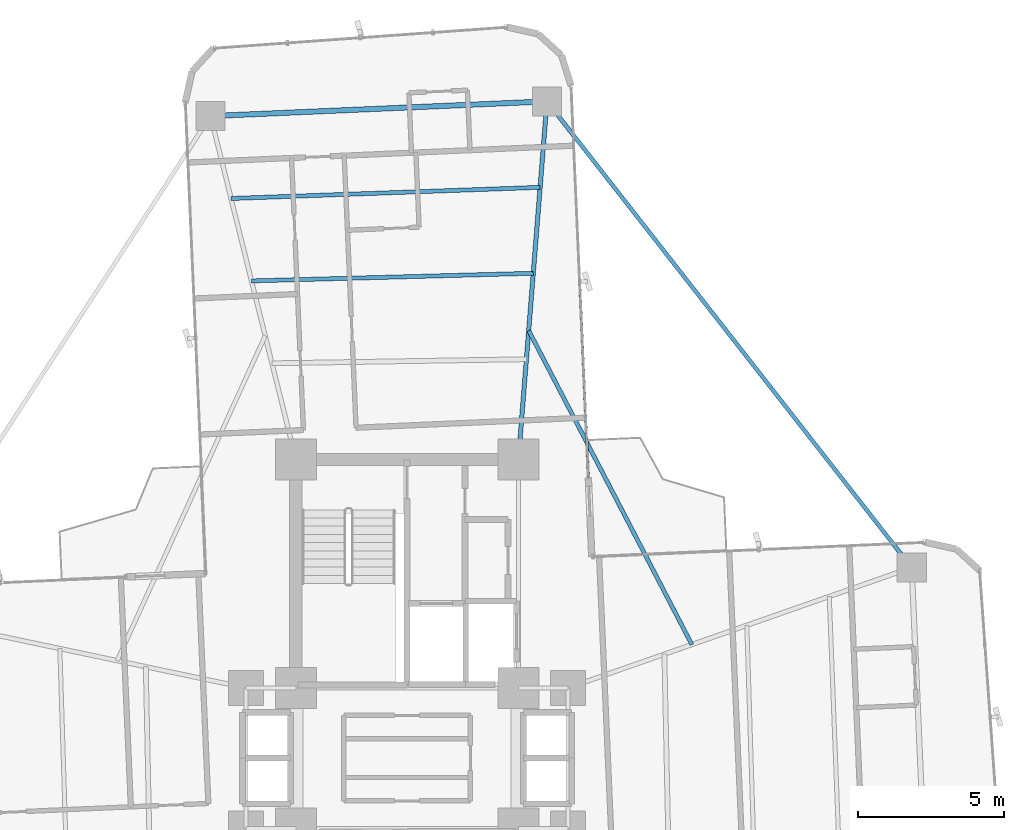
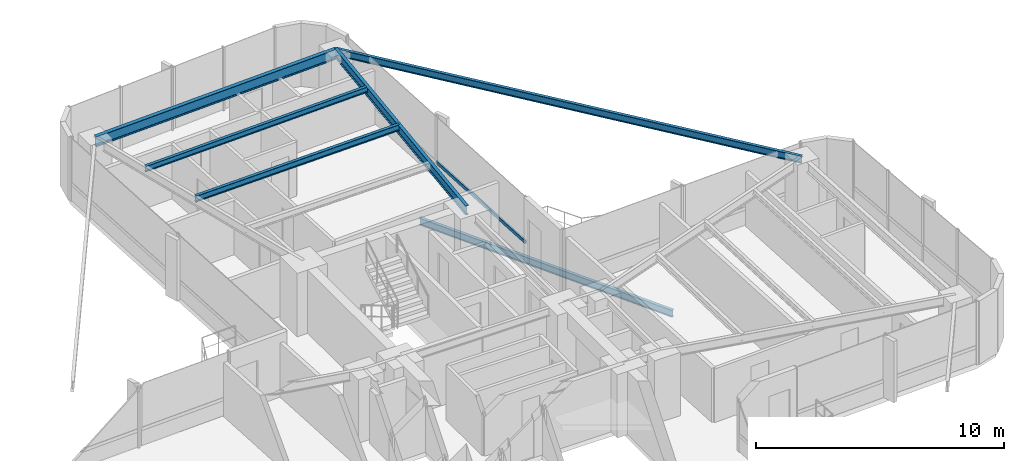
# One storey, part 18 of 26: 6 beams, 1 member, 1 element without a shape of its own.
"""IFC4 building model written with IfcOpenShell, lengths in metres."""

from ifc_helpers import new_model, si_unit, direction, frame, origin, origin_2d, place, context, subcontext, project, spatial, hollow_rectangle, i_section, extrude, source, transform, mapped, material, material_profile, profile_set, type_object, element, aggregate, save


model = new_model("IFC4")

# Units and contexts
model_context = context("Model", 3, precision=1e-05, world=origin(), true_north=direction((0.0, 1.0)))
body_context = subcontext(model_context, "Body", "Model", "MODEL_VIEW")
ifc_project = project(units=[si_unit("LENGTHUNIT", "METRE"), si_unit("AREAUNIT", "SQUARE_METRE"), si_unit("VOLUMEUNIT", "CUBIC_METRE"), si_unit("PLANEANGLEUNIT", "RADIAN"), si_unit("MASSUNIT", "GRAM", prefix="KILO")], contexts=[model_context])

# Site, building, storey
site_placement = place(None, origin())
site = spatial("IfcSite", under=ifc_project, at=site_placement, CompositionType="ELEMENT")
building_placement = place(site_placement, origin())
building = spatial("IfcBuilding", under=site, at=building_placement, Name="Sahyath Konkavel Grand Hotel", CompositionType="ELEMENT")
storey_placement = place(building_placement, frame((0.0, 0.0, 124.85009765625)))
storey = spatial("IfcBuildingStorey", under=building, at=storey_placement, Name="L34", CompositionType="ELEMENT", Elevation=124.85009765625)

# Beams
ifc_material_1 = material(Name="Steel E350", Category="steel")
ifc_material_profile_1 = material_profile(ifc_material_1, i_section(OverallWidth=0.14990234375, OverallDepth=0.449951171875, WebThickness=0.009521484375, FlangeThickness=0.017333984375, FilletRadius=0.014892578125, at=origin_2d()), Name="ISMB 450")
ifc_profile_set_1 = profile_set([ifc_material_profile_1], Name="Steel E350")
beam_type_1 = type_object("IfcBeamType", Name="BM-ISMB450", PredefinedType="BEAM", material=ifc_profile_set_1)
shared_shape_1 = source(origin(), body_context, "Body", "SweptSolid", [
    extrude(i_section(OverallWidth=0.14990234375, OverallDepth=0.449951171875, WebThickness=0.009521484375, FlangeThickness=0.017333984375, FilletRadius=0.014892578125, at=origin_2d()), origin(), (0.0, 0.0, 1.0), 12.2685546875),
])
beam_1_placement = place(storey_placement, frame((3.800048828125, 10.199951171875, 2.885009765625), z_axis=(0.079558563357, 0.996830193662, 0.0), x_axis=(-0.996830193662, 0.079558563357, 0.0)))
element("IfcBeam", 1, at=beam_1_placement, inside=storey, type_object=beam_type_1, Name="L34 Cruciform Radial Girder NA", PredefinedType="BEAM", context=body_context, shape_type="MappedRepresentation", body=[
    mapped(shared_shape_1, transform((0.0, 0.0, 0.0), scale=1.0)),
])
ifc_material_profile_2 = material_profile(ifc_material_1, i_section(OverallWidth=0.179931640625, OverallDepth=0.5, WebThickness=0.01025390625, FlangeThickness=0.01708984375, FilletRadius=0.01708984375, at=origin_2d()), Name="ISMB 500")
ifc_profile_set_2 = profile_set([ifc_material_profile_2], Name="Steel E350")
beam_type_2 = type_object("IfcBeamType", Name="BM-ISMB500", PredefinedType="BEAM", material=ifc_profile_set_2)
shared_shape_2 = source(origin(), body_context, "Body", "SweptSolid", [
    extrude(i_section(OverallWidth=0.179931640625, OverallDepth=0.5, WebThickness=0.01025390625, FlangeThickness=0.01708984375, FilletRadius=0.01708984375, at=origin_2d()), origin(), (0.0, 0.0, 1.0), 11.5),
])
beam_2_placement = place(storey_placement, frame((4.776123046875, 22.4296875, 2.85986328125), z_axis=(-0.99904788879, -0.043627008892, 0.0), x_axis=(0.043627008892, -0.99904788879, 0.0)))
element("IfcBeam", 2, at=beam_2_placement, inside=storey, type_object=beam_type_2, Name="L34 Wing Tip Edge Beam N", PredefinedType="BEAM", context=body_context, shape_type="MappedRepresentation", body=[
    mapped(shared_shape_2, transform((0.0, 0.0, 0.0), scale=1.0)),
])
ifc_material_profile_3 = material_profile(ifc_material_1, i_section(OverallWidth=0.139892578125, OverallDepth=0.35009765625, WebThickness=0.008056640625, FlangeThickness=0.01416015625, FilletRadius=0.013916015625, at=origin_2d()), Name="ISMB 350")
ifc_profile_set_3 = profile_set([ifc_material_profile_3], Name="Steel E350")
beam_type_3 = type_object("IfcBeamType", Name="BM-ISMB350", PredefinedType="BEAM", material=ifc_profile_set_3)
shared_shape_3 = source(origin(), body_context, "Body", "SweptSolid", [
    extrude(i_section(OverallWidth=0.139892578125, OverallDepth=0.35009765625, WebThickness=0.008056640625, FlangeThickness=0.01416015625, FilletRadius=0.013916015625, at=origin_2d()), origin(), (0.0, 0.0, 1.0), 20.215576171875),
])
beam_3_placement = place(storey_placement, frame((17.232421875, 6.5078125, 2.934814453125), z_axis=(-0.616176369687, 0.787608203004, 0.0), x_axis=(-0.787608203004, -0.616176369687, 0.0)))
element("IfcBeam", 3, at=beam_3_placement, inside=storey, type_object=beam_type_3, Name="L34 Re-Entrant Tie Beam NE", PredefinedType="BEAM", context=body_context, shape_type="MappedRepresentation", body=[
    mapped(shared_shape_3, transform((0.0, 0.0, 0.0), scale=1.0)),
])
ifc_material_profile_4 = material_profile(ifc_material_1, i_section(OverallWidth=0.139892578125, OverallDepth=0.300048828125, WebThickness=0.0078125, FlangeThickness=0.01318359375, FilletRadius=0.013916015625, at=origin_2d()), Name="ISMB 300")
ifc_profile_set_4 = profile_set([ifc_material_profile_4], Name="Steel E350")
beam_type_4 = type_object("IfcBeamType", Name="BM-ISMB300", PredefinedType="BEAM", material=ifc_profile_set_4)
shared_shape_4 = source(origin(), body_context, "Body", "SweptSolid", [
    extrude(i_section(OverallWidth=0.139892578125, OverallDepth=0.300048828125, WebThickness=0.0078125, FlangeThickness=0.01318359375, FilletRadius=0.013916015625, at=origin_2d()), origin(), (0.0, 0.0, 1.0), 9.625732421875),
])
beam_4_placement = place(storey_placement, frame((4.3076171875, 16.559326171875, 2.9599609375), z_axis=(-0.999633060528, -0.027087714933, 0.0), x_axis=(0.027087714933, -0.999633060528, 0.0)))
element("IfcBeam", 4, at=beam_4_placement, inside=storey, type_object=beam_type_4, Name="L34 Secondary Floor Beam N-2", PredefinedType="BEAM", context=body_context, shape_type="MappedRepresentation", body=[
    mapped(shared_shape_4, transform((0.0, 0.0, 0.0), scale=1.0)),
])
ifc_material_profile_5 = material_profile(ifc_material_1, i_section(OverallWidth=0.139892578125, OverallDepth=0.27490234375, WebThickness=0.00634765625, FlangeThickness=0.0087890625, FilletRadius=0.012939453125, at=origin_2d()), Name="ISLB 275")
ifc_profile_set_5 = profile_set([ifc_material_profile_5], Name="Steel E350")
beam_type_5 = type_object("IfcBeamType", Name="BM-ISLB275", PredefinedType="BEAM", material=ifc_profile_set_5)
shared_shape_5 = source(origin(), body_context, "Body", "SweptSolid", [
    extrude(i_section(OverallWidth=0.139892578125, OverallDepth=0.27490234375, WebThickness=0.00634765625, FlangeThickness=0.0087890625, FilletRadius=0.012939453125, at=origin_2d()), origin(), (0.0, 0.0, 1.0), 10.562744140625),
])
beam_5_placement = place(storey_placement, frame((4.5419921875, 19.49462890625, 2.972412109375), z_axis=(-0.999348077295, -0.036102914095, 0.0), x_axis=(0.036102914095, -0.999348077295, 0.0)))
element("IfcBeam", 5, at=beam_5_placement, inside=storey, type_object=beam_type_5, Name="L34 Secondary Floor Beam N-3", PredefinedType="BEAM", context=body_context, shape_type="MappedRepresentation", body=[
    mapped(shared_shape_5, transform((0.0, 0.0, 0.0), scale=1.0)),
])

# Curtain wall, member
ifc_material_2 = material(Name="Anodised Bronze Aluminium & Low-E Glazing", Category="aluminium")
curtain_wall_type = type_object("IfcCurtainWallType", Name="CW-ZONE2", PredefinedType="NOTDEFINED", material=ifc_material_2)
curtain_wall_placement = place(storey_placement, origin())
curtain_wall = element("IfcCurtainWall", 6, at=curtain_wall_placement, inside=storey, type_object=curtain_wall_type, Name="L34 Unitised Curtain Wall F8", PredefinedType="NOTDEFINED")
ifc_material_3 = material(Name="Anodised Bronze Aluminium", Category="aluminium")
ifc_material_profile_6 = material_profile(ifc_material_3, hollow_rectangle(XDim=0.080078125, YDim=0.159912109375, WallThickness=0.006103515625, at=origin_2d()), Name="RHS 160x80x6")
ifc_profile_set_6 = profile_set([ifc_material_profile_6], Name="Anodised Bronze Aluminium")
member_type = type_object("IfcMemberType", Name="CW-TRN-160", PredefinedType="USERDEFINED", material=ifc_profile_set_6)
shared_shape_6 = source(origin(), body_context, "Body", "SweptSolid", [
    extrude(hollow_rectangle(XDim=0.080078125, YDim=0.159912109375, WallThickness=0.006103515625, at=origin_2d()), origin(), (0.0, 0.0, 1.0), 6.66015625),
])
member_placement = place(storey_placement, frame((6.186279296875, 9.618896484375, 0.849853515625), z_axis=(-0.043621753165, 0.999048118286, 0.0), x_axis=(-0.999048118286, -0.043621753165, 0.0)))
member = element("IfcMember", 7, at=member_placement, type_object=member_type, Name="L34 Curtain Wall Transom F8-0-spandrel", ObjectType="TRANSOM", PredefinedType="USERDEFINED", context=body_context, shape_type="MappedRepresentation", body=[
    mapped(shared_shape_6, transform((0.0, 0.0, 0.0), scale=1.0)),
])
aggregate(curtain_wall, [member])

# Beam
ifc_material_profile_7 = material_profile(ifc_material_1, i_section(OverallWidth=0.139892578125, OverallDepth=0.35009765625, WebThickness=0.008056640625, FlangeThickness=0.01416015625, FilletRadius=0.013916015625, at=origin_2d()), Name="ISMB 350")
ifc_profile_set_7 = profile_set([ifc_material_profile_7], Name="Steel E350")
beam_type_6 = type_object("IfcBeamType", Name="BM-BALC-CANT", PredefinedType="BEAM", material=ifc_profile_set_7)
shared_shape_7 = source(origin(), body_context, "Body", "SweptSolid", [
    extrude(i_section(OverallWidth=0.139892578125, OverallDepth=0.35009765625, WebThickness=0.008056640625, FlangeThickness=0.01416015625, FilletRadius=0.013916015625, at=origin_2d()), origin(), (0.0, 0.0, 1.0), 12.085205078125),
])
beam_6_placement = place(storey_placement, frame((9.7236328125, 3.87890625, -0.4150390625), z_axis=(-0.461082384626, 0.887357331962, 0.0), x_axis=(-0.887357331962, -0.461082384626, 0.0)))
element("IfcBeam", 8, at=beam_6_placement, inside=storey, type_object=beam_type_6, Name="L34 Balcony Cantilever Support Beam NE", PredefinedType="BEAM", context=body_context, shape_type="MappedRepresentation", body=[
    mapped(shared_shape_7, transform((0.0, 0.0, 0.0), scale=1.0)),
])

save(model, "model.ifc")
